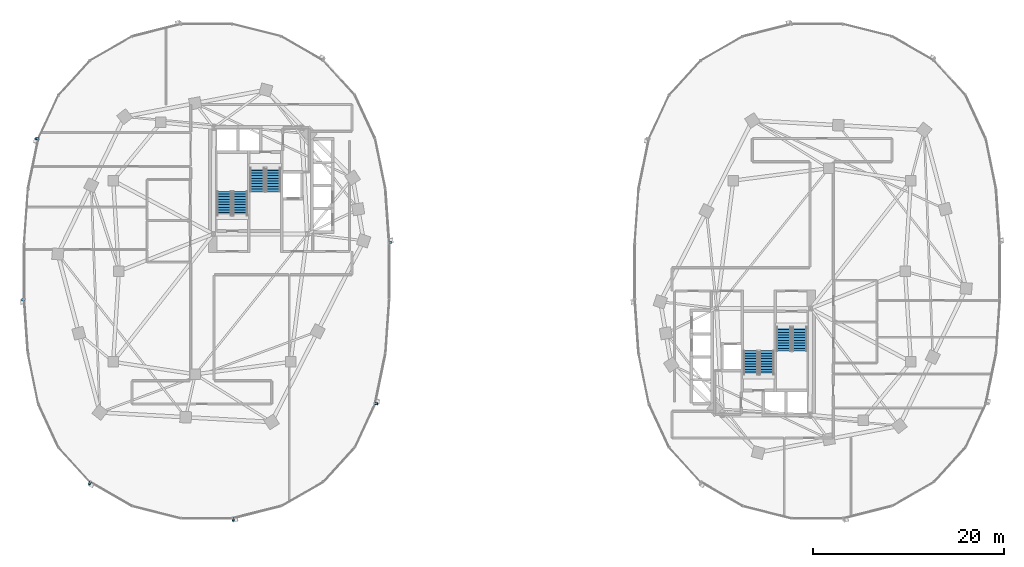
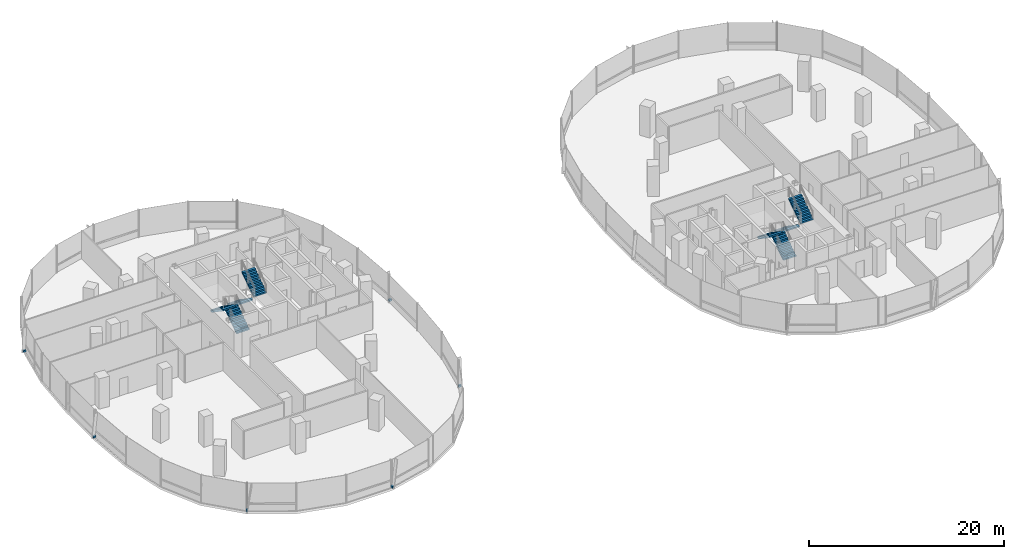
# One storey, part 14 of 21: 8 stair flights, 6 discrete accessories, 4 elements without a shape of their own.
"""IFC4 building model written with IfcOpenShell, lengths in metres."""

from ifc_helpers import new_model, si_unit, direction, frame, origin, origin_2d, place, context, subcontext, project, spatial, polyline, rectangle, outline, extrude, material, type_object, element, aggregate, save


model = new_model("IFC4")

# Units and contexts
model_context = context("Model", 3, precision=1e-05, world=origin(), true_north=direction((0.0, 1.0)))
body_context = subcontext(model_context, "Body", "Model", "MODEL_VIEW")
ifc_project = project(units=[si_unit("LENGTHUNIT", "METRE"), si_unit("AREAUNIT", "SQUARE_METRE"), si_unit("VOLUMEUNIT", "CUBIC_METRE"), si_unit("PLANEANGLEUNIT", "RADIAN"), si_unit("MASSUNIT", "GRAM", prefix="KILO"), si_unit("THERMODYNAMICTEMPERATUREUNIT", "KELVIN"), si_unit("POWERUNIT", "WATT")], contexts=[model_context])

# Site, building, storey
site_placement = place(None, origin())
site = spatial("IfcSite", under=ifc_project, at=site_placement, CompositionType="ELEMENT")
building_placement = place(site_placement, origin())
building = spatial("IfcBuilding", under=site, at=building_placement, Name="Cundina Bronze Exchange", CompositionType="ELEMENT")
storey_placement = place(building_placement, frame((0.0, 0.0, 31.60009765625)))
storey = spatial("IfcBuildingStorey", under=building, at=storey_placement, Name="L07", CompositionType="ELEMENT", Elevation=31.60009765625)

# Stair, stair flights
ifc_material_1 = material(Name="Concrete C40/50", Category="concrete")
stair_type = type_object("IfcStairType", Name="STR-TRD-380", PredefinedType="HALF_TURN_STAIR", material=ifc_material_1)
stair_1_placement = place(storey_placement, origin())
stair_1 = element("IfcStair", 1, at=stair_1_placement, inside=storey, type_object=stair_type, Name="L07 Smokeproof Exit Stair W1", PredefinedType="HALF_TURN_STAIR")
stair_flight_type = type_object("IfcStairFlightType", Name="FLG-TRD-190", PredefinedType="STRAIGHT", material=ifc_material_1)
stair_flight_1_placement = place(storey_placement, frame((-28.489990234375, 5.85009765625, 0.0), z_axis=(0.0, 0.0, 1.0), x_axis=(0.0, 1.0, 0.0)))
stair_flight_1 = element("IfcStairFlight", 2, at=stair_flight_1_placement, type_object=stair_flight_type, Name="ST-W1 flight 1", NumberOfRisers=10, NumberOfTreads=9, PredefinedType="STRAIGHT", RiserHeight=0.19, TreadLength=0.28, context=body_context, shape_type="SweptSolid", body=[
    extrude(outline(polyline([(0.0, 0.0), (0.0, 0.18994140625), (0.280029296875, 0.18994140625), (0.280029296875, 0.3798828125), (0.56005859375, 0.3798828125), (0.56005859375, 0.570068359375), (0.840087890625, 0.570068359375), (0.840087890625, 0.760009765625), (1.1201171875, 0.760009765625), (1.1201171875, 0.949951171875), (1.39990234375, 0.949951171875), (1.39990234375, 1.139892578125), (1.679931640625, 1.139892578125), (1.679931640625, 1.330078125), (1.9599609375, 1.330078125), (1.9599609375, 1.52001953125), (2.239990234375, 1.52001953125), (2.239990234375, 1.7099609375), (2.52001953125, 1.7099609375), (2.52001953125, 1.89990234375), (2.52001953125, 1.52880859375), (0.266845703125, 0.0), (0.0, 0.0)])), frame((0.0, 0.75, 0.0), z_axis=(0.0, -1.0, 0.0), x_axis=(1.0, 0.0, 0.0)), (0.0, 0.0, 1.0), 1.5),
])
stair_flight_2_placement = place(storey_placement, frame((-30.14990234375, 8.3701171875, 1.89990234375), z_axis=(0.0, 0.0, 1.0), x_axis=(0.0, -1.0, 0.0)))
stair_flight_2 = element("IfcStairFlight", 3, at=stair_flight_2_placement, type_object=stair_flight_type, Name="ST-W1 flight 2", NumberOfRisers=10, NumberOfTreads=9, PredefinedType="STRAIGHT", RiserHeight=0.19, TreadLength=0.28, context=body_context, shape_type="SweptSolid", body=[
    extrude(outline(polyline([(0.0, 0.0), (0.0, 0.18994140625), (0.280029296875, 0.18994140625), (0.280029296875, 0.3798828125), (0.56005859375, 0.3798828125), (0.56005859375, 0.570068359375), (0.840087890625, 0.570068359375), (0.840087890625, 0.760009765625), (1.1201171875, 0.760009765625), (1.1201171875, 0.949951171875), (1.39990234375, 0.949951171875), (1.39990234375, 1.139892578125), (1.679931640625, 1.139892578125), (1.679931640625, 1.330078125), (1.9599609375, 1.330078125), (1.9599609375, 1.52001953125), (2.239990234375, 1.52001953125), (2.239990234375, 1.7099609375), (2.52001953125, 1.7099609375), (2.52001953125, 1.89990234375), (2.52001953125, 1.52880859375), (0.266845703125, 0.0), (0.0, 0.0)])), frame((0.0, 0.75, 0.0), z_axis=(0.0, -1.0, 0.0), x_axis=(1.0, 0.0, 0.0)), (0.0, 0.0, 1.0), 1.5),
])
aggregate(stair_1, [stair_flight_1, stair_flight_2])

stair_2_placement = place(storey_placement, origin())
stair_2 = element("IfcStair", 4, at=stair_2_placement, inside=storey, type_object=stair_type, Name="L07 Smokeproof Exit Stair W2", PredefinedType="HALF_TURN_STAIR")
stair_flight_3_placement = place(storey_placement, frame((-26.68994140625, 10.85009765625, 0.0), z_axis=(0.0, 0.0, 1.0), x_axis=(0.0, -1.0, 0.0)))
stair_flight_3 = element("IfcStairFlight", 5, at=stair_flight_3_placement, type_object=stair_flight_type, Name="ST-W2 flight 1", NumberOfRisers=10, NumberOfTreads=9, PredefinedType="STRAIGHT", RiserHeight=0.19, TreadLength=0.28, context=body_context, shape_type="SweptSolid", body=[
    extrude(outline(polyline([(0.0, 0.0), (0.0, 0.18994140625), (0.280029296875, 0.18994140625), (0.280029296875, 0.3798828125), (0.56005859375, 0.3798828125), (0.56005859375, 0.570068359375), (0.840087890625, 0.570068359375), (0.840087890625, 0.760009765625), (1.1201171875, 0.760009765625), (1.1201171875, 0.949951171875), (1.39990234375, 0.949951171875), (1.39990234375, 1.139892578125), (1.679931640625, 1.139892578125), (1.679931640625, 1.330078125), (1.9599609375, 1.330078125), (1.9599609375, 1.52001953125), (2.239990234375, 1.52001953125), (2.239990234375, 1.7099609375), (2.52001953125, 1.7099609375), (2.52001953125, 1.89990234375), (2.52001953125, 1.52880859375), (0.266845703125, 0.0), (0.0, 0.0)])), frame((0.0, 0.75, 0.0), z_axis=(0.0, -1.0, 0.0), x_axis=(1.0, 0.0, 0.0)), (0.0, 0.0, 1.0), 1.5),
])
stair_flight_4_placement = place(storey_placement, frame((-25.030029296875, 8.330078125, 1.89990234375), z_axis=(0.0, 0.0, 1.0), x_axis=(0.0, 1.0, 0.0)))
stair_flight_4 = element("IfcStairFlight", 6, at=stair_flight_4_placement, type_object=stair_flight_type, Name="ST-W2 flight 2", NumberOfRisers=10, NumberOfTreads=9, PredefinedType="STRAIGHT", RiserHeight=0.19, TreadLength=0.28, context=body_context, shape_type="SweptSolid", body=[
    extrude(outline(polyline([(0.0, 0.0), (0.0, 0.18994140625), (0.280029296875, 0.18994140625), (0.280029296875, 0.3798828125), (0.56005859375, 0.3798828125), (0.56005859375, 0.570068359375), (0.840087890625, 0.570068359375), (0.840087890625, 0.760009765625), (1.1201171875, 0.760009765625), (1.1201171875, 0.949951171875), (1.39990234375, 0.949951171875), (1.39990234375, 1.139892578125), (1.679931640625, 1.139892578125), (1.679931640625, 1.330078125), (1.9599609375, 1.330078125), (1.9599609375, 1.52001953125), (2.239990234375, 1.52001953125), (2.239990234375, 1.7099609375), (2.52001953125, 1.7099609375), (2.52001953125, 1.89990234375), (2.52001953125, 1.52880859375), (0.266845703125, 0.0), (0.0, 0.0)])), frame((0.0, 0.75, 0.0), z_axis=(0.0, -1.0, 0.0), x_axis=(1.0, 0.0, 0.0)), (0.0, 0.0, 1.0), 1.5),
])
aggregate(stair_2, [stair_flight_3, stair_flight_4])

stair_3_placement = place(storey_placement, origin())
stair_3 = element("IfcStair", 7, at=stair_3_placement, inside=storey, type_object=stair_type, Name="L07 Smokeproof Exit Stair E1", PredefinedType="HALF_TURN_STAIR")
stair_flight_5_placement = place(storey_placement, frame((28.489990234375, -5.85009765625, 0.0), z_axis=(0.0, 0.0, 1.0), x_axis=(0.0, -1.0, 0.0)))
stair_flight_5 = element("IfcStairFlight", 8, at=stair_flight_5_placement, type_object=stair_flight_type, Name="ST-E1 flight 1", NumberOfRisers=10, NumberOfTreads=9, PredefinedType="STRAIGHT", RiserHeight=0.19, TreadLength=0.28, context=body_context, shape_type="SweptSolid", body=[
    extrude(outline(polyline([(0.0, 0.0), (0.0, 0.18994140625), (0.280029296875, 0.18994140625), (0.280029296875, 0.3798828125), (0.56005859375, 0.3798828125), (0.56005859375, 0.570068359375), (0.840087890625, 0.570068359375), (0.840087890625, 0.760009765625), (1.1201171875, 0.760009765625), (1.1201171875, 0.949951171875), (1.39990234375, 0.949951171875), (1.39990234375, 1.139892578125), (1.679931640625, 1.139892578125), (1.679931640625, 1.330078125), (1.9599609375, 1.330078125), (1.9599609375, 1.52001953125), (2.239990234375, 1.52001953125), (2.239990234375, 1.7099609375), (2.52001953125, 1.7099609375), (2.52001953125, 1.89990234375), (2.52001953125, 1.52880859375), (0.266845703125, 0.0), (0.0, 0.0)])), frame((0.0, 0.75, 0.0), z_axis=(0.0, -1.0, 0.0), x_axis=(1.0, 0.0, 0.0)), (0.0, 0.0, 1.0), 1.5),
])
stair_flight_6_placement = place(storey_placement, frame((30.14990234375, -8.3701171875, 1.89990234375), z_axis=(0.0, 0.0, 1.0), x_axis=(0.0, 1.0, 0.0)))
stair_flight_6 = element("IfcStairFlight", 9, at=stair_flight_6_placement, type_object=stair_flight_type, Name="ST-E1 flight 2", NumberOfRisers=10, NumberOfTreads=9, PredefinedType="STRAIGHT", RiserHeight=0.19, TreadLength=0.28, context=body_context, shape_type="SweptSolid", body=[
    extrude(outline(polyline([(0.0, 0.0), (0.0, 0.18994140625), (0.280029296875, 0.18994140625), (0.280029296875, 0.3798828125), (0.56005859375, 0.3798828125), (0.56005859375, 0.570068359375), (0.840087890625, 0.570068359375), (0.840087890625, 0.760009765625), (1.1201171875, 0.760009765625), (1.1201171875, 0.949951171875), (1.39990234375, 0.949951171875), (1.39990234375, 1.139892578125), (1.679931640625, 1.139892578125), (1.679931640625, 1.330078125), (1.9599609375, 1.330078125), (1.9599609375, 1.52001953125), (2.239990234375, 1.52001953125), (2.239990234375, 1.7099609375), (2.52001953125, 1.7099609375), (2.52001953125, 1.89990234375), (2.52001953125, 1.52880859375), (0.266845703125, 0.0), (0.0, 0.0)])), frame((0.0, 0.75, 0.0), z_axis=(0.0, -1.0, 0.0), x_axis=(1.0, 0.0, 0.0)), (0.0, 0.0, 1.0), 1.5),
])
aggregate(stair_3, [stair_flight_5, stair_flight_6])

stair_4_placement = place(storey_placement, origin())
stair_4 = element("IfcStair", 10, at=stair_4_placement, inside=storey, type_object=stair_type, Name="L07 Smokeproof Exit Stair E2", PredefinedType="HALF_TURN_STAIR")
stair_flight_7_placement = place(storey_placement, frame((26.68994140625, -10.85009765625, 0.0), z_axis=(0.0, 0.0, 1.0), x_axis=(0.0, 1.0, 0.0)))
stair_flight_7 = element("IfcStairFlight", 11, at=stair_flight_7_placement, type_object=stair_flight_type, Name="ST-E2 flight 1", NumberOfRisers=10, NumberOfTreads=9, PredefinedType="STRAIGHT", RiserHeight=0.19, TreadLength=0.28, context=body_context, shape_type="SweptSolid", body=[
    extrude(outline(polyline([(0.0, 0.0), (0.0, 0.18994140625), (0.280029296875, 0.18994140625), (0.280029296875, 0.3798828125), (0.56005859375, 0.3798828125), (0.56005859375, 0.570068359375), (0.840087890625, 0.570068359375), (0.840087890625, 0.760009765625), (1.1201171875, 0.760009765625), (1.1201171875, 0.949951171875), (1.39990234375, 0.949951171875), (1.39990234375, 1.139892578125), (1.679931640625, 1.139892578125), (1.679931640625, 1.330078125), (1.9599609375, 1.330078125), (1.9599609375, 1.52001953125), (2.239990234375, 1.52001953125), (2.239990234375, 1.7099609375), (2.52001953125, 1.7099609375), (2.52001953125, 1.89990234375), (2.52001953125, 1.52880859375), (0.266845703125, 0.0), (0.0, 0.0)])), frame((0.0, 0.75, 0.0), z_axis=(0.0, -1.0, 0.0), x_axis=(1.0, 0.0, 0.0)), (0.0, 0.0, 1.0), 1.5),
])
stair_flight_8_placement = place(storey_placement, frame((25.030029296875, -8.330078125, 1.89990234375), z_axis=(0.0, 0.0, 1.0), x_axis=(0.0, -1.0, 0.0)))
stair_flight_8 = element("IfcStairFlight", 12, at=stair_flight_8_placement, type_object=stair_flight_type, Name="ST-E2 flight 2", NumberOfRisers=10, NumberOfTreads=9, PredefinedType="STRAIGHT", RiserHeight=0.19, TreadLength=0.28, context=body_context, shape_type="SweptSolid", body=[
    extrude(outline(polyline([(0.0, 0.0), (0.0, 0.18994140625), (0.280029296875, 0.18994140625), (0.280029296875, 0.3798828125), (0.56005859375, 0.3798828125), (0.56005859375, 0.570068359375), (0.840087890625, 0.570068359375), (0.840087890625, 0.760009765625), (1.1201171875, 0.760009765625), (1.1201171875, 0.949951171875), (1.39990234375, 0.949951171875), (1.39990234375, 1.139892578125), (1.679931640625, 1.139892578125), (1.679931640625, 1.330078125), (1.9599609375, 1.330078125), (1.9599609375, 1.52001953125), (2.239990234375, 1.52001953125), (2.239990234375, 1.7099609375), (2.52001953125, 1.7099609375), (2.52001953125, 1.89990234375), (2.52001953125, 1.52880859375), (0.266845703125, 0.0), (0.0, 0.0)])), frame((0.0, 0.75, 0.0), z_axis=(0.0, -1.0, 0.0), x_axis=(1.0, 0.0, 0.0)), (0.0, 0.0, 1.0), 1.5),
])
aggregate(stair_4, [stair_flight_7, stair_flight_8])

# Discrete accessories
ifc_material_2 = material(Name="Anodised Bronze Aluminium 6063-T6", Category="aluminium")
discrete_accessory_type = type_object("IfcDiscreteAccessoryType", Name="ACC-BRK-FIN", PredefinedType="BRACKET", material=ifc_material_2)
for number, where, z_axis, x_axis, name in (
    (13, (-12.735595703125, 2.986083984375, 0.10009765625), (0.0, 0.0, 1.0), (-0.070278787473, 0.997527389113, 0.0), "L07 Fin Support Bracket 1"),
    (14, (-49.788330078125, 13.8896484375, 0.10009765625), (0.0, 0.0, 1.0), (-0.201419845156, -0.979505000486, 0.0), "L07 Fin Support Bracket 5"),
    (15, (-51.264404296875, -2.986083984375, 0.10009765625), (0.0, 0.0, 1.0), (0.070278787473, -0.997527389113, 0.0), "L07 Fin Support Bracket 1"),
    (16, (-44.259521484375, -22.21875, 0.10009765625), (0.0, 0.0, 1.0), (0.867105478933, -0.498124571171, 0.0), "L07 Fin Support Bracket 5"),
    (17, (-29.23974609375, -26.03173828125, 0.10009765625), (0.0, 0.0, 1.0), (0.969488149345, 0.245138182011, 0.0), "L07 Fin Support Bracket 1"),
    (18, (-14.211669921875, -13.8896484375, 0.10009765625), (0.0, 0.0, 1.0), (0.201419845156, 0.979505000486, 0.0), "L07 Fin Support Bracket 5"),
):
    element("IfcDiscreteAccessory", number, at=place(storey_placement, frame(where, z_axis=z_axis, x_axis=x_axis)), inside=storey, type_object=discrete_accessory_type, Name=name, PredefinedType="BRACKET", context=body_context, shape_type="SweptSolid", body=[
        extrude(rectangle(XDim=0.219970703125, YDim=0.320068359375, at=origin_2d()), origin(), (0.0, 0.0, 1.0), 0.239990234375),
    ])

save(model, "model.ifc")
